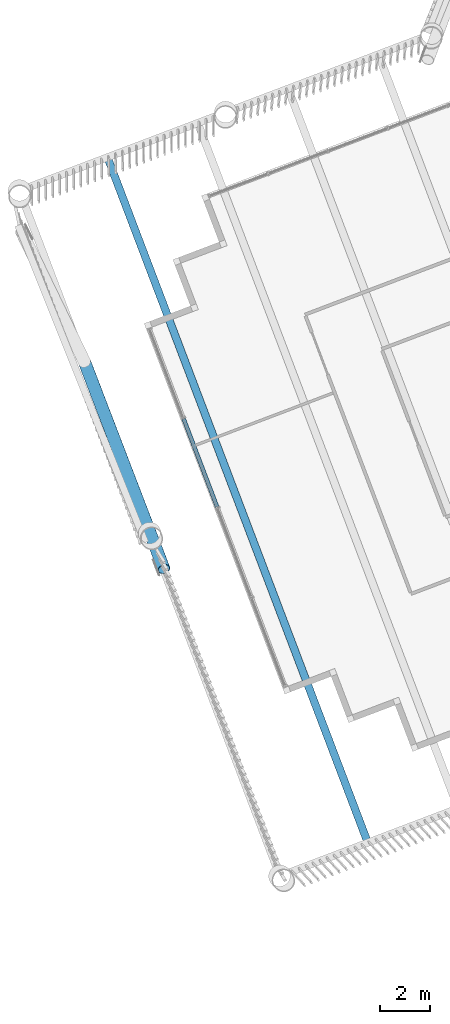
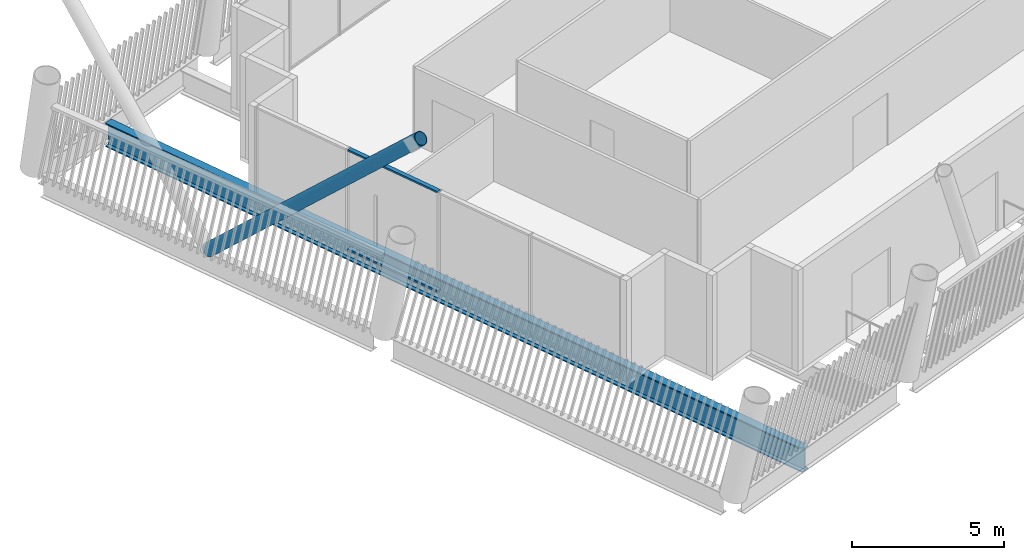
# One storey, part 5 of 33: 3 members, 1 beam, 1 element without a shape of its own.
"""IFC4 building model written with IfcOpenShell, lengths in metres."""

from ifc_helpers import new_model, si_unit, direction, frame, origin, origin_2d, place, context, subcontext, project, spatial, hollow_rectangle, hollow_circle, i_section, extrude, material, layer, layer_set, material_profile, profile_set, type_object, element, aggregate, save


model = new_model("IFC4")

# Units and contexts
model_context = context("Model", 3, precision=1e-05, world=origin(), true_north=direction((0.0, 1.0)))
body_context = subcontext(model_context, "Body", "Model", "MODEL_VIEW")
ifc_project = project(units=[si_unit("LENGTHUNIT", "METRE"), si_unit("AREAUNIT", "SQUARE_METRE"), si_unit("VOLUMEUNIT", "CUBIC_METRE"), si_unit("PLANEANGLEUNIT", "RADIAN"), si_unit("MASSUNIT", "GRAM", prefix="KILO")], contexts=[model_context])

# Site, building, storey
site_placement = place(None, origin())
site = spatial("IfcSite", under=ifc_project, at=site_placement, CompositionType="ELEMENT")
building_placement = place(site_placement, origin())
building = spatial("IfcBuilding", under=site, at=building_placement, Name="Tarsis Ring Headquarters", CompositionType="ELEMENT")
storey_placement = place(building_placement, frame((0.0, 0.0, 369.199951171875)))
storey = spatial("IfcBuildingStorey", under=building, at=storey_placement, Name="L87", CompositionType="ELEMENT", Elevation=369.199951171875)

# Curtain wall, members
ifc_material_1 = material(Name="Aluminium curtain wall", Category="aluminium")
ifc_layer = layer(ifc_material_1, 0.199951171875)
ifc_layer_set = layer_set([ifc_layer], Name="Curtain wall executive tip")
curtain_wall_type = type_object("IfcCurtainWallType", Name="Curtain wall executive tip", PredefinedType="NOTDEFINED", material=ifc_layer_set)
curtain_wall_placement = place(storey_placement, origin())
curtain_wall = element("IfcCurtainWall", 1, at=curtain_wall_placement, inside=storey, type_object=curtain_wall_type, Name="Curtain wall L87-36", PredefinedType="NOTDEFINED")
ifc_material_2 = material(Name="Aluminium transom", Category="aluminium")
ifc_material_profile_1 = material_profile(ifc_material_2, hollow_rectangle(XDim=0.159912109375, YDim=0.070068359375, WallThickness=0.0048828125, at=origin_2d()), Name="RHS 160x70x5")
ifc_profile_set_1 = profile_set([ifc_material_profile_1], Name="Aluminium transom")
member_type_1 = type_object("IfcMemberType", Name="Curtain wall transom executive tip RHS 160x70x5", PredefinedType="USERDEFINED", material=ifc_profile_set_1)
member_1_placement = place(storey_placement, frame((-38.639892578125, -10.570068359375, 0.03515625), z_axis=(0.355128055467, -0.934817663622, 0.0), x_axis=(0.934817663622, 0.355128055467, 0.0)))
member_1 = element("IfcMember", 2, at=member_1_placement, type_object=member_type_1, Name="CW-E transom 2.1", ObjectType="TRANSOM", PredefinedType="USERDEFINED", context=body_context, shape_type="SweptSolid", body=[
    extrude(hollow_rectangle(XDim=0.159912109375, YDim=0.070068359375, WallThickness=0.0048828125, at=origin_2d()), origin(), (0.0, 0.0, 1.0), 3.80517578125),
])
member_2_placement = place(storey_placement, frame((-38.639892578125, -10.570068359375, 4.005126953125), z_axis=(0.355128055467, -0.934817663622, 0.0), x_axis=(0.934817663622, 0.355128055467, 0.0)))
member_2 = element("IfcMember", 3, at=member_2_placement, type_object=member_type_1, Name="CW-E transom 2.2", ObjectType="TRANSOM", PredefinedType="USERDEFINED", context=body_context, shape_type="SweptSolid", body=[
    extrude(hollow_rectangle(XDim=0.159912109375, YDim=0.070068359375, WallThickness=0.0048828125, at=origin_2d()), origin(), (0.0, 0.0, 1.0), 3.80517578125),
])
aggregate(curtain_wall, [member_1, member_2])

# Beam
ifc_material_3 = material(Name="Structural steel S355", Category="steel")
ifc_material_profile_2 = material_profile(ifc_material_3, i_section(OverallWidth=0.309814453125, OverallDepth=0.949951171875, WebThickness=0.0244140625, FlangeThickness=0.0439453125, at=origin_2d()), Name="W36x256")
ifc_profile_set_2 = profile_set([ifc_material_profile_2], Name="Structural steel S355")
beam_type = type_object("IfcBeamType", Name="FB Floor beam W36x256", PredefinedType="JOIST", material=ifc_profile_set_2)
beam_placement = place(storey_placement, frame((-41.695068359375, -0.062744140625, -0.635009765625), z_axis=(0.355106082014, -0.934826010826, 0.0), x_axis=(0.934826010826, 0.355106082014, 0.0)))
element("IfcBeam", 4, at=beam_placement, inside=storey, type_object=beam_type, Name="Floor beam FB11", PredefinedType="JOIST", context=body_context, shape_type="SweptSolid", body=[
    extrude(i_section(OverallWidth=0.309814453125, OverallDepth=0.949951171875, WebThickness=0.0244140625, FlangeThickness=0.0439453125, at=origin_2d()), origin(), (0.0, 0.0, 1.0), 29.4951171875),
])

# Member
ifc_material_profile_3 = material_profile(ifc_material_3, hollow_circle(Radius=0.25390625, WallThickness=0.02001953125, at=origin_2d()), Name="CHS 508x20")
ifc_profile_set_3 = profile_set([ifc_material_profile_3], Name="Structural steel S355")
member_type_2 = type_object("IfcMemberType", Name="XD X brace CHS 508x20", PredefinedType="BRACE", material=ifc_profile_set_3)
member_3_placement = place(storey_placement, frame((-42.638427734375, -8.28076171875, 0.0), z_axis=(0.261121319147, -0.680931856693, 0.684213024743), x_axis=(0.933701454099, 0.358052502593, 0.0)))
element("IfcMember", 5, at=member_3_placement, inside=storey, type_object=member_type_2, Name="X brace XD2", PredefinedType="BRACE", context=body_context, shape_type="SweptSolid", body=[
    extrude(hollow_circle(Radius=0.25390625, WallThickness=0.02001953125, at=origin_2d()), origin(), (0.0, 0.0, 1.0), 12.277099609375),
])

save(model, "model.ifc")
